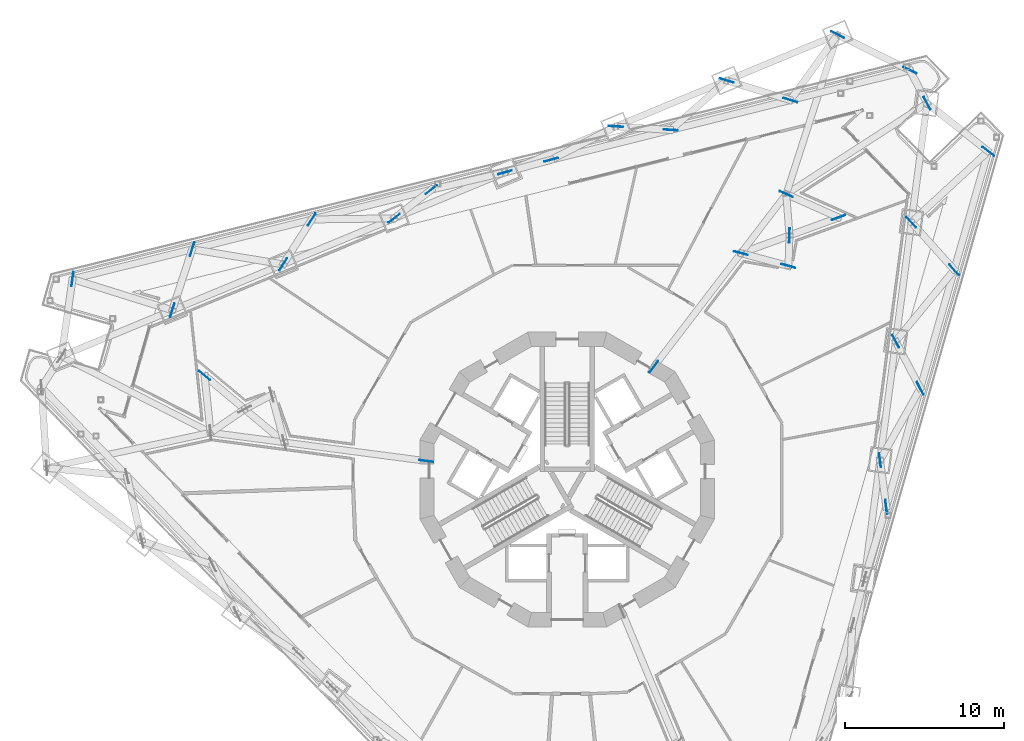
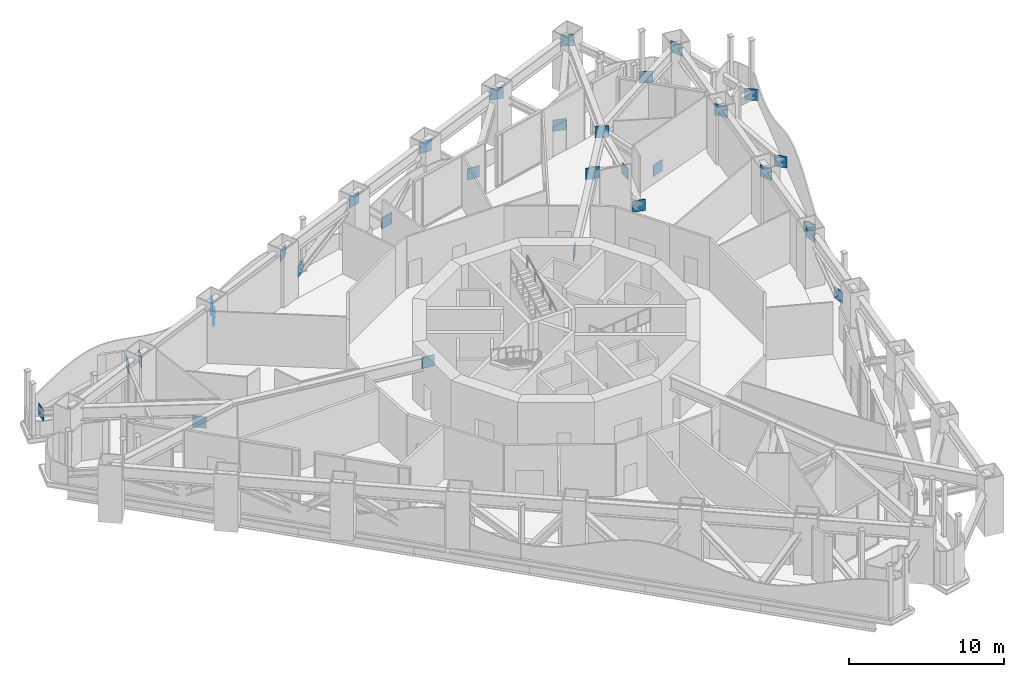
# One storey, part 17 of 26: 31 discrete accessories.
"""IFC4 building model written with IfcOpenShell, lengths in metres."""

from ifc_helpers import new_model, si_unit, direction, frame, origin, origin_2d, place, context, subcontext, project, spatial, rectangle, extrude, material, element, save


model = new_model("IFC4")

# Units and contexts
model_context = context("Model", 3, precision=1e-05, world=origin(), true_north=direction((0.0, 1.0)))
body_context = subcontext(model_context, "Body", "Model", "MODEL_VIEW")
ifc_project = project(units=[si_unit("LENGTHUNIT", "METRE"), si_unit("AREAUNIT", "SQUARE_METRE"), si_unit("VOLUMEUNIT", "CUBIC_METRE"), si_unit("PLANEANGLEUNIT", "RADIAN"), si_unit("MASSUNIT", "GRAM", prefix="KILO")], contexts=[model_context])

# Site, building, storey
site_placement = place(None, origin())
site = spatial("IfcSite", under=ifc_project, at=site_placement, CompositionType="ELEMENT")
building_placement = place(site_placement, origin())
building = spatial("IfcBuilding", under=site, at=building_placement, Name="Trine Commons Tower", CompositionType="ELEMENT")
storey_placement = place(building_placement, frame((0.0, 0.0, 119.699951171875)))
storey = spatial("IfcBuildingStorey", under=building, at=storey_placement, Name="L30", CompositionType="ELEMENT", Elevation=119.699951171875)

# Discrete accessories
ifc_material = material(Name="Structural steel ASTM A572 Gr50", Category="steel")
for number, where, z_axis, x_axis, name in (
    (1, (48.872314453125, 75.113037109375, 0.043701171875), (0.0, 0.0, 1.0), (-0.142542558892, -0.989788673861, 0.0), "Gusset plate GP3-02"),
    (2, (56.3994140625, 76.98974609375, 0.043701171875), (0.0, 0.0, 1.0), (-0.309531520214, -0.950889182815, 0.0), "Gusset plate GP3-04"),
    (3, (57.180419921875, 69.04345703125, 0.043701171875), (0.0, 0.0, 1.0), (0.766885193594, -0.641784309442, 0.0), "Gusset plate GP3-05"),
    (4, (63.926513671875, 78.86669921875, 0.043701171875), (0.0, 0.0, 1.0), (-0.537476236053, -0.843278895549, 0.0), "Gusset plate GP3-09"),
    (5, (71.453857421875, 80.743408203125, 0.043701171875), (0.0, 0.0, 1.0), (-0.792353533263, -0.610062192178, 0.0), "Gusset plate GP3-11"),
    (6, (78.981201171875, 82.6201171875, 0.043701171875), (0.0, 0.0, 1.0), (-0.964386815569, -0.264495878904, 0.0), "Gusset plate GP3-13"),
    (7, (86.50830078125, 84.496826171875, 0.043701171875), (0.0, 0.0, 1.0), (-0.998002545028, 0.063173729645, 0.0), "Gusset plate GP3-18"),
    (8, (93.917724609375, 75.940185546875, 0.043701171875), (0.0, 0.0, 1.0), (-0.965627047368, 0.259931539817, 0.0), "Gusset plate GP3-21"),
    (9, (94.035400390625, 86.37353515625, 0.043701171875), (0.0, 0.0, 1.0), (-0.955705729208, 0.294323901782, 0.0), "Gusset plate GP3-22"),
    (10, (97.07666015625, 78.99072265625, 0.043701171875), (0.0, 0.0, 1.0), (-0.939244112524, -0.343249904718, 0.0), "Gusset plate GP3-24"),
    (11, (100.072265625, 60.779541015625, 0.043701171875), (0.0, 0.0, 1.0), (-0.132187190036, 0.991224771074, 0.0), "Gusset plate GP3-26"),
    (12, (101.562744140625, 88.250244140625, 0.043701171875), (0.0, 0.0, 1.0), (-0.89675691989, 0.442523475794, 0.0), "Gusset plate GP3-27"),
    (13, (102.210693359375, 68.23681640625, 0.043701171875), (0.0, 0.0, 1.0), (-0.461578310871, 0.8870994662, 0.0), "Gusset plate GP3-28"),
    (14, (104.348876953125, 75.69384765625, 0.043701171875), (0.0, 0.0, 1.0), (-0.668741404933, 0.743495079559, 0.0), "Gusset plate GP3-29"),
    (15, (106.4873046875, 83.15087890625, 0.043701171875), (0.0, 0.0, 1.0), (-0.785910856496, 0.618339814052, 0.0), "Gusset plate GP3-30"),
    (16, (93.982666015625, 77.860107421875, 1.62060546875), (0.0, 0.0, 1.0), (0.033783144894, 0.999429186647, 0.0), "Gusset plate GP3-33"),
    (17, (55.151123046875, 73.155029296875, 3.17626953125), (0.0, 0.0, 1.0), (-0.309531520214, -0.950889182815, 0.0), "Gusset plate GP3-37"),
    (18, (62.128173828125, 76.044921875, 3.17626953125), (0.0, 0.0, 1.0), (-0.537476236053, -0.843278895549, 0.0), "Gusset plate GP3-40"),
    (19, (69.105224609375, 78.93505859375, 3.17626953125), (0.0, 0.0, 1.0), (-0.792353533263, -0.610062192178, 0.0), "Gusset plate GP3-43"),
    (20, (71.123779296875, 63.668701171875, 3.17626953125), (0.0, 0.0, 1.0), (-0.991444861374, 0.13052619222, 0.0), "Gusset plate GP3-44"),
    (21, (76.08251953125, 81.8251953125, 3.17626953125), (0.0, 0.0, 1.0), (-0.964386815569, -0.264495878904, 0.0), "Gusset plate GP3-46"),
    (22, (83.0595703125, 84.715087890625, 3.17626953125), (0.0, 0.0, 1.0), (-0.998002545028, 0.063173729645, 0.0), "Gusset plate GP3-48"),
    (23, (85.4501953125, 69.602783203125, 3.17626953125), (0.0, 0.0, 1.0), (0.608761429009, 0.793353340291, 0.0), "Gusset plate GP3-51"),
    (24, (90.03662109375, 87.60498046875, 3.17626953125), (0.0, 0.0, 1.0), (-0.955705729208, 0.294323901782, 0.0), "Gusset plate GP3-55"),
    (25, (90.93017578125, 76.744384765625, 3.17626953125), (0.0, 0.0, 1.0), (-0.965627047368, 0.259931539817, 0.0), "Gusset plate GP3-56"),
    (26, (93.7802734375, 80.458984375, 3.17626953125), (0.0, 0.0, 1.0), (-0.91348155633, 0.406880137442, 0.0), "Gusset plate GP3-57"),
    (27, (97.013671875, 90.4951171875, 3.17626953125), (0.0, 0.0, 1.0), (-0.89675691989, 0.442523475794, 0.0), "Gusset plate GP3-60"),
    (28, (99.680419921875, 63.717529296875, 3.17626953125), (0.0, 0.0, 1.0), (-0.132187190036, 0.991224771074, 0.0), "Gusset plate GP3-63"),
    (29, (100.666259765625, 71.204833984375, 3.17626953125), (0.0, 0.0, 1.0), (-0.461578310871, 0.8870994662, 0.0), "Gusset plate GP3-64"),
    (30, (101.652099609375, 78.692138671875, 3.17626953125), (0.0, 0.0, 1.0), (-0.668741404933, 0.743495079559, 0.0), "Gusset plate GP3-65"),
    (31, (102.6376953125, 86.1796875, 3.17626953125), (0.0, 0.0, 1.0), (0.460757524766, -0.887526057855, 0.0), "Gusset plate GP3-66"),
):
    element("IfcDiscreteAccessory", number, at=place(storey_placement, frame(where, z_axis=z_axis, x_axis=x_axis)), inside=storey, material=ifc_material, Name=name, PredefinedType="BRACKET", context=body_context, shape_type="SweptSolid", body=[
        extrude(rectangle(XDim=0.89990234375, YDim=0.0400390625, at=origin_2d()), origin(), (0.0, 0.0, 1.0), 0.89990234375),
    ])

save(model, "model.ifc")
